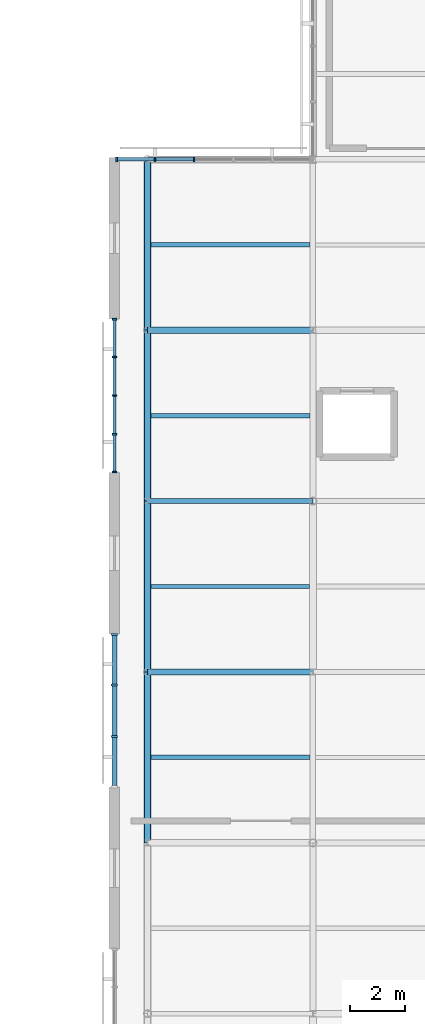
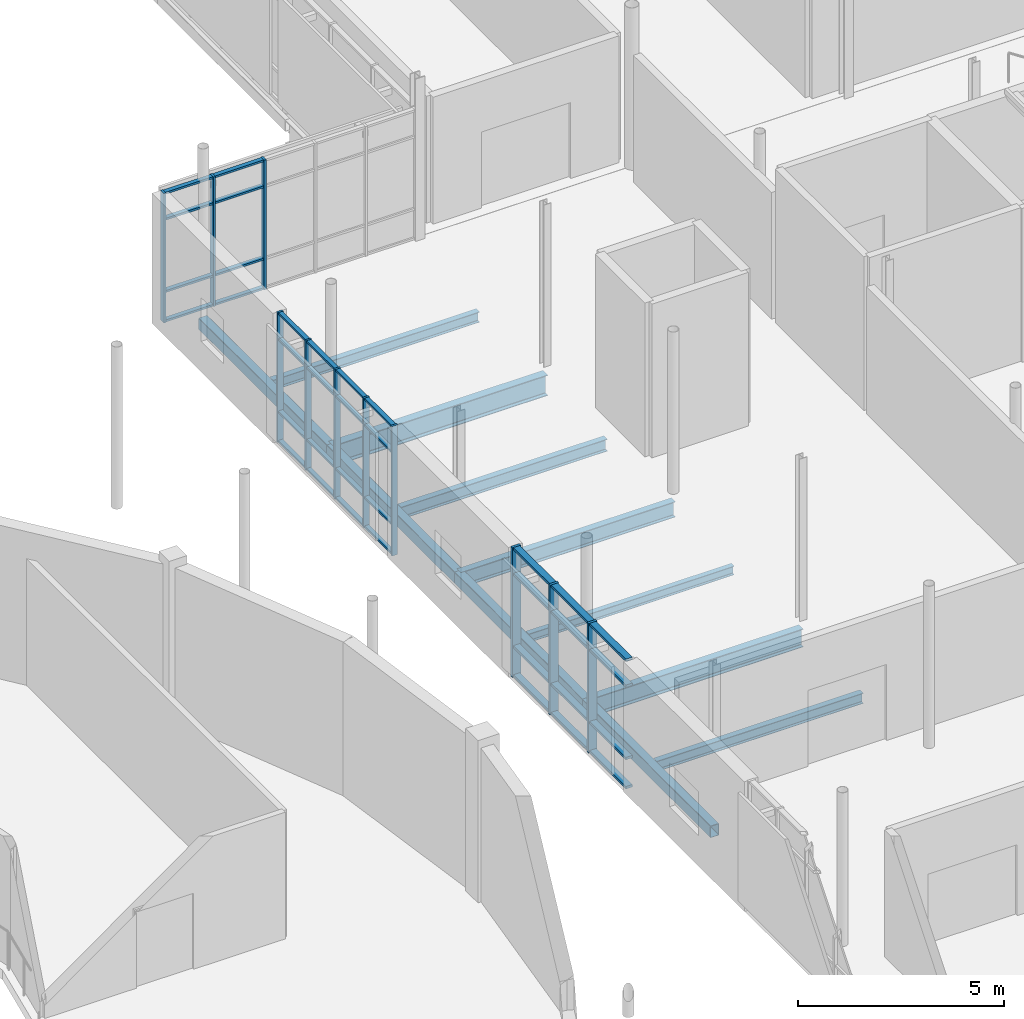
# One storey, part 28 of 66: 47 members, 11 beams, 3 elements without a shape of their own.
"""IFC4 building model written with IfcOpenShell, lengths in metres."""

from ifc_helpers import new_model, si_unit, direction, frame, origin, origin_2d, place, context, subcontext, project, spatial, rectangle, hollow_rectangle, i_section, extrude, material, layer, layer_set, material_profile, profile_set, type_object, element, aggregate, save


model = new_model("IFC4")

# Units and contexts
model_context = context("Model", 3, precision=1e-05, world=origin(), true_north=direction((0.0, 1.0)))
body_context = subcontext(model_context, "Body", "Model", "MODEL_VIEW")
ifc_project = project(units=[si_unit("LENGTHUNIT", "METRE"), si_unit("AREAUNIT", "SQUARE_METRE"), si_unit("VOLUMEUNIT", "CUBIC_METRE"), si_unit("PLANEANGLEUNIT", "RADIAN"), si_unit("MASSUNIT", "GRAM", prefix="KILO")], contexts=[model_context])

# Site, building, storey
site_placement = place(None, origin())
site = spatial("IfcSite", under=ifc_project, at=site_placement, CompositionType="ELEMENT")
building_placement = place(site_placement, origin())
building = spatial("IfcBuilding", under=site, at=building_placement, Name="Mirzam Square Science Centre", CompositionType="ELEMENT")
storey_placement = place(building_placement, frame((0.0, 0.0, 15.60009765625)))
storey = spatial("IfcBuildingStorey", under=building, at=storey_placement, Name="L03", CompositionType="ELEMENT", Elevation=15.60009765625)

# Beams
ifc_material_1 = material(Name="Steel S355", Category="steel")
ifc_material_profile_1 = material_profile(ifc_material_1, i_section(OverallWidth=0.19140625, OverallDepth=0.4599609375, WebThickness=0.010009765625, FlangeThickness=0.01611328125, FilletRadius=0.01025390625, at=origin_2d()), Name="457x191x82UB")
ifc_profile_set_1 = profile_set([ifc_material_profile_1], Name="Steel S355")
beam_type_1 = type_object("IfcBeamType", Name="BM-UB457", PredefinedType="BEAM", material=ifc_profile_set_1)
beam_1_placement = place(storey_placement, frame((108.0, 74.39990234375, -0.47998046875), z_axis=(1.0, 0.0, 0.0), x_axis=(0.0, 1.0, 0.0)))
element("IfcBeam", 1, at=beam_1_placement, inside=storey, type_object=beam_type_1, Name="L03 girder X19-13", PredefinedType="BEAM", context=body_context, shape_type="SweptSolid", body=[
    extrude(i_section(OverallWidth=0.19140625, OverallDepth=0.4599609375, WebThickness=0.010009765625, FlangeThickness=0.01611328125, FilletRadius=0.01025390625, at=origin_2d()), origin(), (0.0, 0.0, 1.0), 6.0),
])
ifc_material_profile_2 = material_profile(ifc_material_1, i_section(OverallWidth=0.2099609375, OverallDepth=0.53662109375, WebThickness=0.0107421875, FlangeThickness=0.017333984375, FilletRadius=0.0126953125, at=origin_2d()), Name="533x210x101UB")
ifc_profile_set_2 = profile_set([ifc_material_profile_2], Name="Steel S355")
beam_type_2 = type_object("IfcBeamType", Name="BM-UB533", PredefinedType="BEAM", material=ifc_profile_set_2)
beam_2_placement = place(storey_placement, frame((108.0, 68.199951171875, -0.5185546875), z_axis=(1.0, 0.0, 0.0), x_axis=(0.0, 1.0, 0.0)))
element("IfcBeam", 2, at=beam_2_placement, inside=storey, type_object=beam_type_2, Name="L03 girder X19-12", PredefinedType="BEAM", context=body_context, shape_type="SweptSolid", body=[
    extrude(i_section(OverallWidth=0.2099609375, OverallDepth=0.53662109375, WebThickness=0.0107421875, FlangeThickness=0.017333984375, FilletRadius=0.0126953125, at=origin_2d()), origin(), (0.0, 0.0, 1.0), 6.0),
])
ifc_material_profile_3 = material_profile(ifc_material_1, i_section(OverallWidth=0.22900390625, OverallDepth=0.6123046875, WebThickness=0.011962890625, FlangeThickness=0.01953125, FilletRadius=0.0126953125, at=origin_2d()), Name="610x229x125UB")
ifc_profile_set_3 = profile_set([ifc_material_profile_3], Name="Steel S355")
beam_type_3 = type_object("IfcBeamType", Name="BM-UB610", PredefinedType="BEAM", material=ifc_profile_set_3)
beam_3_placement = place(storey_placement, frame((108.0, 80.60009765625, -0.55615234375), z_axis=(1.0, 0.0, 0.0), x_axis=(0.0, 1.0, 0.0)))
element("IfcBeam", 3, at=beam_3_placement, inside=storey, type_object=beam_type_3, Name="L03 girder X19-14", PredefinedType="BEAM", context=body_context, shape_type="SweptSolid", body=[
    extrude(i_section(OverallWidth=0.22900390625, OverallDepth=0.6123046875, WebThickness=0.011962890625, FlangeThickness=0.01953125, FilletRadius=0.0126953125, at=origin_2d()), origin(), (0.0, 0.0, 1.0), 6.0),
])

# Curtain wall, members
ifc_material_2 = material(Name="Anodised Aluminium and Low-E Solar Glass", Category="aluminium")
ifc_layer_1 = layer(ifc_material_2, 0.159912109375)
ifc_layer_set_1 = layer_set([ifc_layer_1], Name="CW-COURT-B")
curtain_wall_type_1 = type_object("IfcCurtainWallType", Name="CW-COURT-B", PredefinedType="USERDEFINED", material=ifc_layer_set_1)
curtain_wall_1_placement = place(storey_placement, origin())
curtain_wall_1 = element("IfcCurtainWall", 4, at=curtain_wall_1_placement, inside=storey, type_object=curtain_wall_type_1, Name="L03 unitised curtain wall 132", ObjectType="UNITISED CURTAIN WALL", PredefinedType="USERDEFINED")
ifc_material_3 = material(Name="Anodised Architectural Aluminium 6063-T6", Category="aluminium")
ifc_material_profile_4 = material_profile(ifc_material_3, rectangle(XDim=0.06005859375, YDim=0.159912109375, at=origin_2d()), Name="ALU-MULL-160x60x4")
ifc_profile_set_4 = profile_set([ifc_material_profile_4], Name="Anodised Architectural Aluminium 6063-T6")
member_type_1 = type_object("IfcMemberType", Name="CWM-160", PredefinedType="MULLION", material=ifc_profile_set_4)
member_1_placement = place(storey_placement, frame((109.69091796875, 86.800048828125, 0.0), z_axis=(0.0, 0.0, 1.0), x_axis=(-1.0, 0.0, 0.0)))
member_1 = element("IfcMember", 5, at=member_1_placement, type_object=member_type_1, Name="CW-04 mullion 4", PredefinedType="MULLION", context=body_context, shape_type="SweptSolid", body=[
    extrude(rectangle(XDim=0.06005859375, YDim=0.159912109375, at=origin_2d()), origin(), (0.0, 0.0, 1.0), 3.83984375),
])
member_2_placement = place(storey_placement, frame((108.27294921875, 86.800048828125, 0.0), z_axis=(0.0, 0.0, 1.0), x_axis=(-1.0, 0.0, 0.0)))
member_2 = element("IfcMember", 6, at=member_2_placement, type_object=member_type_1, Name="CW-04 mullion 5", PredefinedType="MULLION", context=body_context, shape_type="SweptSolid", body=[
    extrude(rectangle(XDim=0.06005859375, YDim=0.159912109375, at=origin_2d()), origin(), (0.0, 0.0, 1.0), 3.83984375),
])
member_3_placement = place(storey_placement, frame((106.885009765625, 86.800048828125, 0.0), z_axis=(0.0, 0.0, 1.0), x_axis=(-1.0, 0.0, 0.0)))
member_3 = element("IfcMember", 7, at=member_3_placement, type_object=member_type_1, Name="CW-04 mullion 6", PredefinedType="MULLION", context=body_context, shape_type="SweptSolid", body=[
    extrude(rectangle(XDim=0.06005859375, YDim=0.159912109375, at=origin_2d()), origin(), (0.0, 0.0, 1.0), 3.83984375),
])

curtain_wall_2_placement = place(storey_placement, origin())
curtain_wall_2 = element("IfcCurtainWall", 8, at=curtain_wall_2_placement, inside=storey, type_object=curtain_wall_type_1, Name="L03 unitised curtain wall 133", ObjectType="UNITISED CURTAIN WALL", PredefinedType="USERDEFINED")
member_4_placement = place(storey_placement, frame((106.800048828125, 81.000732421875, 0.0), z_axis=(0.0, 0.0, 1.0), x_axis=(0.0, -1.0, 0.0)))
member_4 = element("IfcMember", 9, at=member_4_placement, type_object=member_type_1, Name="CW-04 mullion 1", PredefinedType="MULLION", context=body_context, shape_type="SweptSolid", body=[
    extrude(rectangle(XDim=0.06005859375, YDim=0.159912109375, at=origin_2d()), origin(), (0.0, 0.0, 1.0), 3.83984375),
])
member_5_placement = place(storey_placement, frame((106.800048828125, 79.629638671875, 0.0), z_axis=(0.0, 0.0, 1.0), x_axis=(0.0, -1.0, 0.0)))
member_5 = element("IfcMember", 10, at=member_5_placement, type_object=member_type_1, Name="CW-04 mullion 2", PredefinedType="MULLION", context=body_context, shape_type="SweptSolid", body=[
    extrude(rectangle(XDim=0.06005859375, YDim=0.159912109375, at=origin_2d()), origin(), (0.0, 0.0, 1.0), 3.83984375),
])
member_6_placement = place(storey_placement, frame((106.800048828125, 78.228515625, 0.0), z_axis=(0.0, 0.0, 1.0), x_axis=(0.0, -1.0, 0.0)))
member_6 = element("IfcMember", 11, at=member_6_placement, type_object=member_type_1, Name="CW-04 mullion 3", PredefinedType="MULLION", context=body_context, shape_type="SweptSolid", body=[
    extrude(rectangle(XDim=0.06005859375, YDim=0.159912109375, at=origin_2d()), origin(), (0.0, 0.0, 1.0), 3.83984375),
])
member_7_placement = place(storey_placement, frame((106.800048828125, 76.827392578125, 0.0), z_axis=(0.0, 0.0, 1.0), x_axis=(0.0, -1.0, 0.0)))
member_7 = element("IfcMember", 12, at=member_7_placement, type_object=member_type_1, Name="CW-04 mullion 4", PredefinedType="MULLION", context=body_context, shape_type="SweptSolid", body=[
    extrude(rectangle(XDim=0.06005859375, YDim=0.159912109375, at=origin_2d()), origin(), (0.0, 0.0, 1.0), 3.83984375),
])
member_8_placement = place(storey_placement, frame((106.800048828125, 75.456298828125, 0.0), z_axis=(0.0, 0.0, 1.0), x_axis=(0.0, -1.0, 0.0)))
member_8 = element("IfcMember", 13, at=member_8_placement, type_object=member_type_1, Name="CW-04 mullion 5", PredefinedType="MULLION", context=body_context, shape_type="SweptSolid", body=[
    extrude(rectangle(XDim=0.06005859375, YDim=0.159912109375, at=origin_2d()), origin(), (0.0, 0.0, 1.0), 3.83984375),
])

ifc_layer_2 = layer(ifc_material_2, 0.239990234375)
ifc_layer_set_2 = layer_set([ifc_layer_2], Name="CW-EAST-B")
curtain_wall_type_2 = type_object("IfcCurtainWallType", Name="CW-EAST-B", PredefinedType="USERDEFINED", material=ifc_layer_set_2)
curtain_wall_3_placement = place(storey_placement, origin())
curtain_wall_3 = element("IfcCurtainWall", 14, at=curtain_wall_3_placement, inside=storey, type_object=curtain_wall_type_2, Name="L03 unitised curtain wall 134", ObjectType="UNITISED CURTAIN WALL", PredefinedType="USERDEFINED")
ifc_material_profile_5 = material_profile(ifc_material_3, rectangle(XDim=0.074951171875, YDim=0.239990234375, at=origin_2d()), Name="ALU-MULL-240x75x5")
ifc_profile_set_5 = profile_set([ifc_material_profile_5], Name="Anodised Architectural Aluminium 6063-T6")
member_type_2 = type_object("IfcMemberType", Name="CWM-240", PredefinedType="MULLION", material=ifc_profile_set_5)
member_9_placement = place(storey_placement, frame((106.800048828125, 69.564697265625, 0.0), z_axis=(0.0, 0.0, 1.0), x_axis=(0.0, -1.0, 0.0)))
member_9 = element("IfcMember", 15, at=member_9_placement, type_object=member_type_2, Name="CW-06 mullion 1", PredefinedType="MULLION", context=body_context, shape_type="SweptSolid", body=[
    extrude(rectangle(XDim=0.074951171875, YDim=0.239990234375, at=origin_2d()), origin(), (0.0, 0.0, 1.0), 3.83984375),
])
member_10_placement = place(storey_placement, frame((106.800048828125, 67.734130859375, 0.0), z_axis=(0.0, 0.0, 1.0), x_axis=(0.0, -1.0, 0.0)))
member_10 = element("IfcMember", 16, at=member_10_placement, type_object=member_type_2, Name="CW-06 mullion 2", PredefinedType="MULLION", context=body_context, shape_type="SweptSolid", body=[
    extrude(rectangle(XDim=0.074951171875, YDim=0.239990234375, at=origin_2d()), origin(), (0.0, 0.0, 1.0), 3.83984375),
])
member_11_placement = place(storey_placement, frame((106.800048828125, 65.865966796875, 0.0), z_axis=(0.0, 0.0, 1.0), x_axis=(0.0, -1.0, 0.0)))
member_11 = element("IfcMember", 17, at=member_11_placement, type_object=member_type_2, Name="CW-06 mullion 3", PredefinedType="MULLION", context=body_context, shape_type="SweptSolid", body=[
    extrude(rectangle(XDim=0.074951171875, YDim=0.239990234375, at=origin_2d()), origin(), (0.0, 0.0, 1.0), 3.83984375),
])

# Member
ifc_material_profile_6 = material_profile(ifc_material_3, rectangle(XDim=0.1201171875, YDim=0.06005859375, at=origin_2d()), Name="ALU-TRAN-120x60x4")
ifc_profile_set_6 = profile_set([ifc_material_profile_6], Name="Anodised Architectural Aluminium 6063-T6")
member_type_3 = type_object("IfcMemberType", Name="CWT-120", PredefinedType="USERDEFINED", material=ifc_profile_set_6)
member_12_placement = place(storey_placement, frame((109.660888671875, 86.800048828125, 0.02978515625), z_axis=(-1.0, 0.0, 0.0), x_axis=(0.0, -1.0, 0.0)))
member_12 = element("IfcMember", 18, at=member_12_placement, type_object=member_type_3, Name="CW-04 transom 4.1", ObjectType="TRANSOM", PredefinedType="USERDEFINED", context=body_context, shape_type="SweptSolid", body=[
    extrude(rectangle(XDim=0.1201171875, YDim=0.06005859375, at=origin_2d()), origin(), (0.0, 0.0, 1.0), 1.35791015625),
])

member_13_placement = place(storey_placement, frame((109.660888671875, 86.800048828125, 0.89990234375), z_axis=(-1.0, 0.0, 0.0), x_axis=(0.0, -1.0, 0.0)))
member_13 = element("IfcMember", 19, at=member_13_placement, type_object=member_type_3, Name="CW-04 transom 4.2", ObjectType="TRANSOM", PredefinedType="USERDEFINED", context=body_context, shape_type="SweptSolid", body=[
    extrude(rectangle(XDim=0.1201171875, YDim=0.06005859375, at=origin_2d()), origin(), (0.0, 0.0, 1.0), 1.35791015625),
])

member_14_placement = place(storey_placement, frame((109.660888671875, 86.800048828125, 3.039794921875), z_axis=(-1.0, 0.0, 0.0), x_axis=(0.0, -1.0, 0.0)))
member_14 = element("IfcMember", 20, at=member_14_placement, type_object=member_type_3, Name="CW-04 transom 4.3", ObjectType="TRANSOM", PredefinedType="USERDEFINED", context=body_context, shape_type="SweptSolid", body=[
    extrude(rectangle(XDim=0.1201171875, YDim=0.06005859375, at=origin_2d()), origin(), (0.0, 0.0, 1.0), 1.35791015625),
])

member_15_placement = place(storey_placement, frame((109.660888671875, 86.800048828125, 3.809814453125), z_axis=(-1.0, 0.0, 0.0), x_axis=(0.0, -1.0, 0.0)))
member_15 = element("IfcMember", 21, at=member_15_placement, type_object=member_type_3, Name="CW-04 transom 4.4", ObjectType="TRANSOM", PredefinedType="USERDEFINED", context=body_context, shape_type="SweptSolid", body=[
    extrude(rectangle(XDim=0.1201171875, YDim=0.06005859375, at=origin_2d()), origin(), (0.0, 0.0, 1.0), 1.35791015625),
])

member_16_placement = place(storey_placement, frame((108.242919921875, 86.800048828125, 0.02978515625), z_axis=(-1.0, 0.0, 0.0), x_axis=(0.0, -1.0, 0.0)))
member_16 = element("IfcMember", 22, at=member_16_placement, type_object=member_type_3, Name="CW-04 transom 5.1", ObjectType="TRANSOM", PredefinedType="USERDEFINED", context=body_context, shape_type="SweptSolid", body=[
    extrude(rectangle(XDim=0.1201171875, YDim=0.06005859375, at=origin_2d()), origin(), (0.0, 0.0, 1.0), 1.327880859375),
])

member_17_placement = place(storey_placement, frame((108.242919921875, 86.800048828125, 0.89990234375), z_axis=(-1.0, 0.0, 0.0), x_axis=(0.0, -1.0, 0.0)))
member_17 = element("IfcMember", 23, at=member_17_placement, type_object=member_type_3, Name="CW-04 transom 5.2", ObjectType="TRANSOM", PredefinedType="USERDEFINED", context=body_context, shape_type="SweptSolid", body=[
    extrude(rectangle(XDim=0.1201171875, YDim=0.06005859375, at=origin_2d()), origin(), (0.0, 0.0, 1.0), 1.327880859375),
])

member_18_placement = place(storey_placement, frame((108.242919921875, 86.800048828125, 3.039794921875), z_axis=(-1.0, 0.0, 0.0), x_axis=(0.0, -1.0, 0.0)))
member_18 = element("IfcMember", 24, at=member_18_placement, type_object=member_type_3, Name="CW-04 transom 5.3", ObjectType="TRANSOM", PredefinedType="USERDEFINED", context=body_context, shape_type="SweptSolid", body=[
    extrude(rectangle(XDim=0.1201171875, YDim=0.06005859375, at=origin_2d()), origin(), (0.0, 0.0, 1.0), 1.327880859375),
])

member_19_placement = place(storey_placement, frame((108.242919921875, 86.800048828125, 3.809814453125), z_axis=(-1.0, 0.0, 0.0), x_axis=(0.0, -1.0, 0.0)))
member_19 = element("IfcMember", 25, at=member_19_placement, type_object=member_type_3, Name="CW-04 transom 5.4", ObjectType="TRANSOM", PredefinedType="USERDEFINED", context=body_context, shape_type="SweptSolid", body=[
    extrude(rectangle(XDim=0.1201171875, YDim=0.06005859375, at=origin_2d()), origin(), (0.0, 0.0, 1.0), 1.327880859375),
])

aggregate(curtain_wall_1, [member_1, member_2, member_3, member_12, member_13, member_14, member_15, member_16, member_17, member_18, member_19])

member_20_placement = place(storey_placement, frame((106.800048828125, 80.970703125, 0.02978515625), z_axis=(0.0, -1.0, 0.0), x_axis=(1.0, 0.0, 0.0)))
member_20 = element("IfcMember", 26, at=member_20_placement, type_object=member_type_3, Name="CW-04 transom 1.1", ObjectType="TRANSOM", PredefinedType="USERDEFINED", context=body_context, shape_type="SweptSolid", body=[
    extrude(rectangle(XDim=0.1201171875, YDim=0.06005859375, at=origin_2d()), origin(), (0.0, 0.0, 1.0), 1.31103515625),
])

member_21_placement = place(storey_placement, frame((106.800048828125, 80.970703125, 0.89990234375), z_axis=(0.0, -1.0, 0.0), x_axis=(1.0, 0.0, 0.0)))
member_21 = element("IfcMember", 27, at=member_21_placement, type_object=member_type_3, Name="CW-04 transom 1.2", ObjectType="TRANSOM", PredefinedType="USERDEFINED", context=body_context, shape_type="SweptSolid", body=[
    extrude(rectangle(XDim=0.1201171875, YDim=0.06005859375, at=origin_2d()), origin(), (0.0, 0.0, 1.0), 1.31103515625),
])

member_22_placement = place(storey_placement, frame((106.800048828125, 80.970703125, 3.039794921875), z_axis=(0.0, -1.0, 0.0), x_axis=(1.0, 0.0, 0.0)))
member_22 = element("IfcMember", 28, at=member_22_placement, type_object=member_type_3, Name="CW-04 transom 1.3", ObjectType="TRANSOM", PredefinedType="USERDEFINED", context=body_context, shape_type="SweptSolid", body=[
    extrude(rectangle(XDim=0.1201171875, YDim=0.06005859375, at=origin_2d()), origin(), (0.0, 0.0, 1.0), 1.31103515625),
])

member_23_placement = place(storey_placement, frame((106.800048828125, 80.970703125, 3.809814453125), z_axis=(0.0, -1.0, 0.0), x_axis=(1.0, 0.0, 0.0)))
member_23 = element("IfcMember", 29, at=member_23_placement, type_object=member_type_3, Name="CW-04 transom 1.4", ObjectType="TRANSOM", PredefinedType="USERDEFINED", context=body_context, shape_type="SweptSolid", body=[
    extrude(rectangle(XDim=0.1201171875, YDim=0.06005859375, at=origin_2d()), origin(), (0.0, 0.0, 1.0), 1.31103515625),
])

member_24_placement = place(storey_placement, frame((106.800048828125, 79.599609375, 0.02978515625), z_axis=(0.0, -1.0, 0.0), x_axis=(1.0, 0.0, 0.0)))
member_24 = element("IfcMember", 30, at=member_24_placement, type_object=member_type_3, Name="CW-04 transom 2.1", ObjectType="TRANSOM", PredefinedType="USERDEFINED", context=body_context, shape_type="SweptSolid", body=[
    extrude(rectangle(XDim=0.1201171875, YDim=0.06005859375, at=origin_2d()), origin(), (0.0, 0.0, 1.0), 1.341064453125),
])

member_25_placement = place(storey_placement, frame((106.800048828125, 79.599609375, 0.89990234375), z_axis=(0.0, -1.0, 0.0), x_axis=(1.0, 0.0, 0.0)))
member_25 = element("IfcMember", 31, at=member_25_placement, type_object=member_type_3, Name="CW-04 transom 2.2", ObjectType="TRANSOM", PredefinedType="USERDEFINED", context=body_context, shape_type="SweptSolid", body=[
    extrude(rectangle(XDim=0.1201171875, YDim=0.06005859375, at=origin_2d()), origin(), (0.0, 0.0, 1.0), 1.341064453125),
])

member_26_placement = place(storey_placement, frame((106.800048828125, 79.599609375, 3.039794921875), z_axis=(0.0, -1.0, 0.0), x_axis=(1.0, 0.0, 0.0)))
member_26 = element("IfcMember", 32, at=member_26_placement, type_object=member_type_3, Name="CW-04 transom 2.3", ObjectType="TRANSOM", PredefinedType="USERDEFINED", context=body_context, shape_type="SweptSolid", body=[
    extrude(rectangle(XDim=0.1201171875, YDim=0.06005859375, at=origin_2d()), origin(), (0.0, 0.0, 1.0), 1.341064453125),
])

member_27_placement = place(storey_placement, frame((106.800048828125, 79.599609375, 3.809814453125), z_axis=(0.0, -1.0, 0.0), x_axis=(1.0, 0.0, 0.0)))
member_27 = element("IfcMember", 33, at=member_27_placement, type_object=member_type_3, Name="CW-04 transom 2.4", ObjectType="TRANSOM", PredefinedType="USERDEFINED", context=body_context, shape_type="SweptSolid", body=[
    extrude(rectangle(XDim=0.1201171875, YDim=0.06005859375, at=origin_2d()), origin(), (0.0, 0.0, 1.0), 1.341064453125),
])

member_28_placement = place(storey_placement, frame((106.800048828125, 78.198486328125, 0.02978515625), z_axis=(0.0, -1.0, 0.0), x_axis=(1.0, 0.0, 0.0)))
member_28 = element("IfcMember", 34, at=member_28_placement, type_object=member_type_3, Name="CW-04 transom 3.1", ObjectType="TRANSOM", PredefinedType="USERDEFINED", context=body_context, shape_type="SweptSolid", body=[
    extrude(rectangle(XDim=0.1201171875, YDim=0.06005859375, at=origin_2d()), origin(), (0.0, 0.0, 1.0), 1.341064453125),
])

member_29_placement = place(storey_placement, frame((106.800048828125, 78.198486328125, 0.89990234375), z_axis=(0.0, -1.0, 0.0), x_axis=(1.0, 0.0, 0.0)))
member_29 = element("IfcMember", 35, at=member_29_placement, type_object=member_type_3, Name="CW-04 transom 3.2", ObjectType="TRANSOM", PredefinedType="USERDEFINED", context=body_context, shape_type="SweptSolid", body=[
    extrude(rectangle(XDim=0.1201171875, YDim=0.06005859375, at=origin_2d()), origin(), (0.0, 0.0, 1.0), 1.341064453125),
])

member_30_placement = place(storey_placement, frame((106.800048828125, 78.198486328125, 3.039794921875), z_axis=(0.0, -1.0, 0.0), x_axis=(1.0, 0.0, 0.0)))
member_30 = element("IfcMember", 36, at=member_30_placement, type_object=member_type_3, Name="CW-04 transom 3.3", ObjectType="TRANSOM", PredefinedType="USERDEFINED", context=body_context, shape_type="SweptSolid", body=[
    extrude(rectangle(XDim=0.1201171875, YDim=0.06005859375, at=origin_2d()), origin(), (0.0, 0.0, 1.0), 1.341064453125),
])

member_31_placement = place(storey_placement, frame((106.800048828125, 78.198486328125, 3.809814453125), z_axis=(0.0, -1.0, 0.0), x_axis=(1.0, 0.0, 0.0)))
member_31 = element("IfcMember", 37, at=member_31_placement, type_object=member_type_3, Name="CW-04 transom 3.4", ObjectType="TRANSOM", PredefinedType="USERDEFINED", context=body_context, shape_type="SweptSolid", body=[
    extrude(rectangle(XDim=0.1201171875, YDim=0.06005859375, at=origin_2d()), origin(), (0.0, 0.0, 1.0), 1.341064453125),
])

member_32_placement = place(storey_placement, frame((106.800048828125, 76.79736328125, 0.02978515625), z_axis=(0.0, -1.0, 0.0), x_axis=(1.0, 0.0, 0.0)))
member_32 = element("IfcMember", 38, at=member_32_placement, type_object=member_type_3, Name="CW-04 transom 4.1", ObjectType="TRANSOM", PredefinedType="USERDEFINED", context=body_context, shape_type="SweptSolid", body=[
    extrude(rectangle(XDim=0.1201171875, YDim=0.06005859375, at=origin_2d()), origin(), (0.0, 0.0, 1.0), 1.31103515625),
])

member_33_placement = place(storey_placement, frame((106.800048828125, 76.79736328125, 0.89990234375), z_axis=(0.0, -1.0, 0.0), x_axis=(1.0, 0.0, 0.0)))
member_33 = element("IfcMember", 39, at=member_33_placement, type_object=member_type_3, Name="CW-04 transom 4.2", ObjectType="TRANSOM", PredefinedType="USERDEFINED", context=body_context, shape_type="SweptSolid", body=[
    extrude(rectangle(XDim=0.1201171875, YDim=0.06005859375, at=origin_2d()), origin(), (0.0, 0.0, 1.0), 1.31103515625),
])

member_34_placement = place(storey_placement, frame((106.800048828125, 76.79736328125, 3.039794921875), z_axis=(0.0, -1.0, 0.0), x_axis=(1.0, 0.0, 0.0)))
member_34 = element("IfcMember", 40, at=member_34_placement, type_object=member_type_3, Name="CW-04 transom 4.3", ObjectType="TRANSOM", PredefinedType="USERDEFINED", context=body_context, shape_type="SweptSolid", body=[
    extrude(rectangle(XDim=0.1201171875, YDim=0.06005859375, at=origin_2d()), origin(), (0.0, 0.0, 1.0), 1.31103515625),
])

member_35_placement = place(storey_placement, frame((106.800048828125, 76.79736328125, 3.809814453125), z_axis=(0.0, -1.0, 0.0), x_axis=(1.0, 0.0, 0.0)))
member_35 = element("IfcMember", 41, at=member_35_placement, type_object=member_type_3, Name="CW-04 transom 4.4", ObjectType="TRANSOM", PredefinedType="USERDEFINED", context=body_context, shape_type="SweptSolid", body=[
    extrude(rectangle(XDim=0.1201171875, YDim=0.06005859375, at=origin_2d()), origin(), (0.0, 0.0, 1.0), 1.31103515625),
])

aggregate(curtain_wall_2, [member_4, member_5, member_6, member_7, member_8, member_20, member_21, member_22, member_23, member_24, member_25, member_26, member_27, member_28, member_29, member_30, member_31, member_32, member_33, member_34, member_35])

ifc_material_profile_7 = material_profile(ifc_material_3, rectangle(XDim=0.179931640625, YDim=0.074951171875, at=origin_2d()), Name="ALU-TRAN-180x75x5")
ifc_profile_set_7 = profile_set([ifc_material_profile_7], Name="Anodised Architectural Aluminium 6063-T6")
member_type_4 = type_object("IfcMemberType", Name="CWT-180", PredefinedType="USERDEFINED", material=ifc_profile_set_7)
member_36_placement = place(storey_placement, frame((106.800048828125, 69.527099609375, 0.037353515625), z_axis=(0.0, -1.0, 0.0), x_axis=(1.0, 0.0, 0.0)))
member_36 = element("IfcMember", 42, at=member_36_placement, type_object=member_type_4, Name="CW-06 transom 1.1", ObjectType="TRANSOM", PredefinedType="USERDEFINED", context=body_context, shape_type="SweptSolid", body=[
    extrude(rectangle(XDim=0.179931640625, YDim=0.074951171875, at=origin_2d()), origin(), (0.0, 0.0, 1.0), 1.755615234375),
])

member_37_placement = place(storey_placement, frame((106.800048828125, 69.527099609375, 0.89990234375), z_axis=(0.0, -1.0, 0.0), x_axis=(1.0, 0.0, 0.0)))
member_37 = element("IfcMember", 43, at=member_37_placement, type_object=member_type_4, Name="CW-06 transom 1.2", ObjectType="TRANSOM", PredefinedType="USERDEFINED", context=body_context, shape_type="SweptSolid", body=[
    extrude(rectangle(XDim=0.179931640625, YDim=0.074951171875, at=origin_2d()), origin(), (0.0, 0.0, 1.0), 1.755615234375),
])

member_38_placement = place(storey_placement, frame((106.800048828125, 69.527099609375, 3.039794921875), z_axis=(0.0, -1.0, 0.0), x_axis=(1.0, 0.0, 0.0)))
member_38 = element("IfcMember", 44, at=member_38_placement, type_object=member_type_4, Name="CW-06 transom 1.3", ObjectType="TRANSOM", PredefinedType="USERDEFINED", context=body_context, shape_type="SweptSolid", body=[
    extrude(rectangle(XDim=0.179931640625, YDim=0.074951171875, at=origin_2d()), origin(), (0.0, 0.0, 1.0), 1.755615234375),
])

member_39_placement = place(storey_placement, frame((106.800048828125, 69.527099609375, 3.802490234375), z_axis=(0.0, -1.0, 0.0), x_axis=(1.0, 0.0, 0.0)))
member_39 = element("IfcMember", 45, at=member_39_placement, type_object=member_type_4, Name="CW-06 transom 1.4", ObjectType="TRANSOM", PredefinedType="USERDEFINED", context=body_context, shape_type="SweptSolid", body=[
    extrude(rectangle(XDim=0.179931640625, YDim=0.074951171875, at=origin_2d()), origin(), (0.0, 0.0, 1.0), 1.755615234375),
])

member_40_placement = place(storey_placement, frame((106.800048828125, 67.696533203125, 0.037353515625), z_axis=(0.0, -1.0, 0.0), x_axis=(1.0, 0.0, 0.0)))
member_40 = element("IfcMember", 46, at=member_40_placement, type_object=member_type_4, Name="CW-06 transom 2.1", ObjectType="TRANSOM", PredefinedType="USERDEFINED", context=body_context, shape_type="SweptSolid", body=[
    extrude(rectangle(XDim=0.179931640625, YDim=0.074951171875, at=origin_2d()), origin(), (0.0, 0.0, 1.0), 1.79296875),
])

member_41_placement = place(storey_placement, frame((106.800048828125, 67.696533203125, 0.89990234375), z_axis=(0.0, -1.0, 0.0), x_axis=(1.0, 0.0, 0.0)))
member_41 = element("IfcMember", 47, at=member_41_placement, type_object=member_type_4, Name="CW-06 transom 2.2", ObjectType="TRANSOM", PredefinedType="USERDEFINED", context=body_context, shape_type="SweptSolid", body=[
    extrude(rectangle(XDim=0.179931640625, YDim=0.074951171875, at=origin_2d()), origin(), (0.0, 0.0, 1.0), 1.79296875),
])

member_42_placement = place(storey_placement, frame((106.800048828125, 67.696533203125, 3.039794921875), z_axis=(0.0, -1.0, 0.0), x_axis=(1.0, 0.0, 0.0)))
member_42 = element("IfcMember", 48, at=member_42_placement, type_object=member_type_4, Name="CW-06 transom 2.3", ObjectType="TRANSOM", PredefinedType="USERDEFINED", context=body_context, shape_type="SweptSolid", body=[
    extrude(rectangle(XDim=0.179931640625, YDim=0.074951171875, at=origin_2d()), origin(), (0.0, 0.0, 1.0), 1.79296875),
])

member_43_placement = place(storey_placement, frame((106.800048828125, 67.696533203125, 3.802490234375), z_axis=(0.0, -1.0, 0.0), x_axis=(1.0, 0.0, 0.0)))
member_43 = element("IfcMember", 49, at=member_43_placement, type_object=member_type_4, Name="CW-06 transom 2.4", ObjectType="TRANSOM", PredefinedType="USERDEFINED", context=body_context, shape_type="SweptSolid", body=[
    extrude(rectangle(XDim=0.179931640625, YDim=0.074951171875, at=origin_2d()), origin(), (0.0, 0.0, 1.0), 1.79296875),
])

member_44_placement = place(storey_placement, frame((106.800048828125, 65.828369140625, 0.037353515625), z_axis=(0.0, -1.0, 0.0), x_axis=(1.0, 0.0, 0.0)))
member_44 = element("IfcMember", 50, at=member_44_placement, type_object=member_type_4, Name="CW-06 transom 3.1", ObjectType="TRANSOM", PredefinedType="USERDEFINED", context=body_context, shape_type="SweptSolid", body=[
    extrude(rectangle(XDim=0.179931640625, YDim=0.074951171875, at=origin_2d()), origin(), (0.0, 0.0, 1.0), 1.75537109375),
])

member_45_placement = place(storey_placement, frame((106.800048828125, 65.828369140625, 0.89990234375), z_axis=(0.0, -1.0, 0.0), x_axis=(1.0, 0.0, 0.0)))
member_45 = element("IfcMember", 51, at=member_45_placement, type_object=member_type_4, Name="CW-06 transom 3.2", ObjectType="TRANSOM", PredefinedType="USERDEFINED", context=body_context, shape_type="SweptSolid", body=[
    extrude(rectangle(XDim=0.179931640625, YDim=0.074951171875, at=origin_2d()), origin(), (0.0, 0.0, 1.0), 1.75537109375),
])

member_46_placement = place(storey_placement, frame((106.800048828125, 65.828369140625, 3.039794921875), z_axis=(0.0, -1.0, 0.0), x_axis=(1.0, 0.0, 0.0)))
member_46 = element("IfcMember", 52, at=member_46_placement, type_object=member_type_4, Name="CW-06 transom 3.3", ObjectType="TRANSOM", PredefinedType="USERDEFINED", context=body_context, shape_type="SweptSolid", body=[
    extrude(rectangle(XDim=0.179931640625, YDim=0.074951171875, at=origin_2d()), origin(), (0.0, 0.0, 1.0), 1.75537109375),
])

member_47_placement = place(storey_placement, frame((106.800048828125, 65.828369140625, 3.802490234375), z_axis=(0.0, -1.0, 0.0), x_axis=(1.0, 0.0, 0.0)))
member_47 = element("IfcMember", 53, at=member_47_placement, type_object=member_type_4, Name="CW-06 transom 3.4", ObjectType="TRANSOM", PredefinedType="USERDEFINED", context=body_context, shape_type="SweptSolid", body=[
    extrude(rectangle(XDim=0.179931640625, YDim=0.074951171875, at=origin_2d()), origin(), (0.0, 0.0, 1.0), 1.75537109375),
])

aggregate(curtain_wall_3, [member_9, member_10, member_11, member_36, member_37, member_38, member_39, member_40, member_41, member_42, member_43, member_44, member_45, member_46, member_47])

# Beams
ifc_material_profile_8 = material_profile(ifc_material_1, i_section(OverallWidth=0.146484375, OverallDepth=0.256103515625, WebThickness=0.00634765625, FlangeThickness=0.010986328125, FilletRadius=0.007568359375, at=origin_2d()), Name="254x146x37UB")
ifc_profile_set_8 = profile_set([ifc_material_profile_8], Name="Steel S355")
beam_type_4 = type_object("IfcBeamType", Name="JS-UB254", PredefinedType="JOIST", material=ifc_profile_set_8)
beam_4_placement = place(storey_placement, frame((108.125, 71.300048828125, -0.378173828125), z_axis=(1.0, 0.0, 0.0), x_axis=(0.0, 1.0, 0.0)))
element("IfcBeam", 54, at=beam_4_placement, inside=storey, type_object=beam_type_4, Name="L03 composite joist 19-12", PredefinedType="JOIST", context=body_context, shape_type="SweptSolid", body=[
    extrude(i_section(OverallWidth=0.146484375, OverallDepth=0.256103515625, WebThickness=0.00634765625, FlangeThickness=0.010986328125, FilletRadius=0.007568359375, at=origin_2d()), origin(), (0.0, 0.0, 1.0), 5.747802734375),
])
ifc_material_profile_9 = material_profile(ifc_material_1, i_section(OverallWidth=0.165771484375, OverallDepth=0.306640625, WebThickness=0.006591796875, FlangeThickness=0.01171875, FilletRadius=0.0087890625, at=origin_2d()), Name="305x165x46UB")
ifc_profile_set_9 = profile_set([ifc_material_profile_9], Name="Steel S355")
beam_type_5 = type_object("IfcBeamType", Name="JS-UB305", PredefinedType="JOIST", material=ifc_profile_set_9)
for number, where, z_axis, x_axis, name in (
    (55, (108.125, 65.10009765625, -0.4033203125), (1.0, 0.0, 0.0), (0.0, 1.0, 0.0), "L03 composite joist 19-11"),
    (56, (108.125, 83.699951171875, -0.4033203125), (1.0, 0.0, 0.0), (0.0, 1.0, 0.0), "L03 composite joist 19-14"),
):
    element("IfcBeam", number, at=place(storey_placement, frame(where, z_axis=z_axis, x_axis=x_axis)), inside=storey, type_object=beam_type_5, Name=name, PredefinedType="JOIST", context=body_context, shape_type="SweptSolid", body=[
        extrude(i_section(OverallWidth=0.165771484375, OverallDepth=0.306640625, WebThickness=0.006591796875, FlangeThickness=0.01171875, FilletRadius=0.0087890625, at=origin_2d()), origin(), (0.0, 0.0, 1.0), 5.779296875),
    ])
ifc_material_profile_10 = material_profile(ifc_material_1, i_section(OverallWidth=0.172119140625, OverallDepth=0.35791015625, WebThickness=0.008056640625, FlangeThickness=0.012939453125, FilletRadius=0.01025390625, at=origin_2d()), Name="356x171x57UB")
ifc_profile_set_10 = profile_set([ifc_material_profile_10], Name="Steel S355")
beam_type_6 = type_object("IfcBeamType", Name="JS-UB356", PredefinedType="JOIST", material=ifc_profile_set_10)
beam_5_placement = place(storey_placement, frame((108.125, 77.5, -0.42919921875), z_axis=(1.0, 0.0, 0.0), x_axis=(0.0, 1.0, 0.0)))
element("IfcBeam", 57, at=beam_5_placement, inside=storey, type_object=beam_type_6, Name="L03 composite joist 19-13", PredefinedType="JOIST", context=body_context, shape_type="SweptSolid", body=[
    extrude(i_section(OverallWidth=0.172119140625, OverallDepth=0.35791015625, WebThickness=0.008056640625, FlangeThickness=0.012939453125, FilletRadius=0.01025390625, at=origin_2d()), origin(), (0.0, 0.0, 1.0), 5.77001953125),
])
ifc_material_profile_11 = material_profile(ifc_material_1, hollow_rectangle(XDim=0.25, YDim=0.35009765625, WallThickness=0.012451171875, InnerFilletRadius=0.012451171875, OuterFilletRadius=0.02490234375, at=origin_2d()), Name="350x250x12.5RHS")
ifc_profile_set_11 = profile_set([ifc_material_profile_11], Name="Steel S355")
beam_type_7 = type_object("IfcBeamType", Name="SP-RHS350", PredefinedType="SPANDREL", material=ifc_profile_set_11)
for number, where, z_axis, x_axis, name in (
    (58, (108.0, 62.0, -0.425048828125), (0.0, 1.0, 0.0), (-1.0, 0.0, 0.0), "L03 girder Y19-11"),
    (59, (108.0, 68.199951171875, -0.425048828125), (0.0, 1.0, 0.0), (-1.0, 0.0, 0.0), "L03 girder Y19-12"),
):
    element("IfcBeam", number, at=place(storey_placement, frame(where, z_axis=z_axis, x_axis=x_axis)), inside=storey, type_object=beam_type_7, Name=name, PredefinedType="SPANDREL", context=body_context, shape_type="SweptSolid", body=[
        extrude(hollow_rectangle(XDim=0.25, YDim=0.35009765625, WallThickness=0.012451171875, InnerFilletRadius=0.012451171875, OuterFilletRadius=0.02490234375, at=origin_2d()), origin(), (0.0, 0.0, 1.0), 6.199951171875),
    ])
beam_6_placement = place(storey_placement, frame((108.0, 74.39990234375, -0.425048828125), z_axis=(0.0, 1.0, 0.0), x_axis=(-1.0, 0.0, 0.0)))
element("IfcBeam", 60, at=beam_6_placement, inside=storey, type_object=beam_type_7, Name="L03 girder Y19-13", PredefinedType="SPANDREL", context=body_context, shape_type="SweptSolid", body=[
    extrude(hollow_rectangle(XDim=0.25, YDim=0.35009765625, WallThickness=0.012451171875, InnerFilletRadius=0.012451171875, OuterFilletRadius=0.02490234375, at=origin_2d()), origin(), (0.0, 0.0, 1.0), 6.2001953125),
])
beam_7_placement = place(storey_placement, frame((108.0, 80.60009765625, -0.425048828125), z_axis=(0.0, 1.0, 0.0), x_axis=(-1.0, 0.0, 0.0)))
element("IfcBeam", 61, at=beam_7_placement, inside=storey, type_object=beam_type_7, Name="L03 girder Y19-14", PredefinedType="SPANDREL", context=body_context, shape_type="SweptSolid", body=[
    extrude(hollow_rectangle(XDim=0.25, YDim=0.35009765625, WallThickness=0.012451171875, InnerFilletRadius=0.012451171875, OuterFilletRadius=0.02490234375, at=origin_2d()), origin(), (0.0, 0.0, 1.0), 6.199951171875),
])

save(model, "model.ifc")
